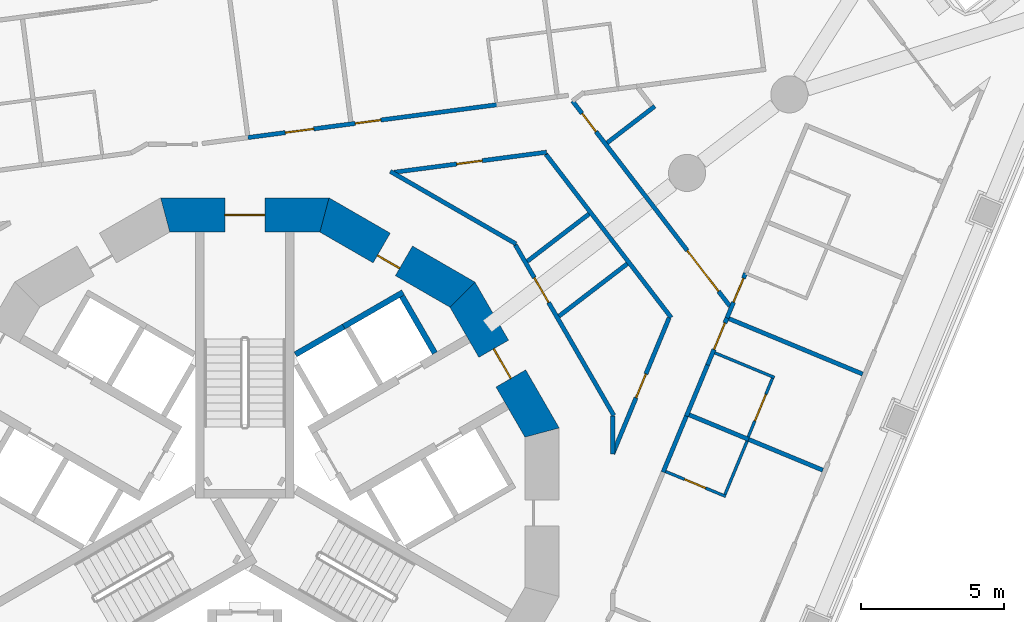
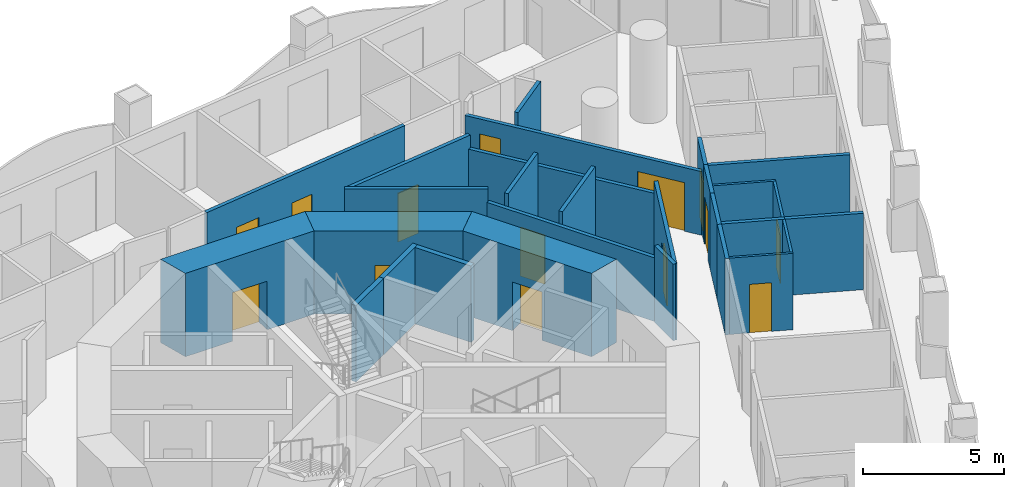
# One storey, part 9 of 19: 28 walls, 14 doors, 14 openings.
"""IFC4 building model written with IfcOpenShell, lengths in metres."""

from ifc_helpers import new_model, si_unit, direction, frame, frame_2d, origin, place, context, subcontext, project, spatial, polyline, rectangle, outline, extrude, material, layer, layer_set, type_object, element, fill, save


model = new_model("IFC4")

# Units and contexts
model_context = context("Model", 3, precision=1e-05, world=origin(), true_north=direction((0.0, 1.0)))
body_context = subcontext(model_context, "Body", "Model", "MODEL_VIEW")
ifc_project = project(units=[si_unit("LENGTHUNIT", "METRE"), si_unit("AREAUNIT", "SQUARE_METRE"), si_unit("VOLUMEUNIT", "CUBIC_METRE"), si_unit("PLANEANGLEUNIT", "RADIAN"), si_unit("MASSUNIT", "GRAM", prefix="KILO")], contexts=[model_context])

# Site, building, storey
site_placement = place(None, origin())
site = spatial("IfcSite", under=ifc_project, at=site_placement, CompositionType="ELEMENT")
building_placement = place(site_placement, origin())
building = spatial("IfcBuilding", under=site, at=building_placement, Name="Trine Commons Tower", CompositionType="ELEMENT")
storey_placement = place(building_placement, frame((0.0, 0.0, 61.199951171875)))
storey = spatial("IfcBuildingStorey", under=building, at=storey_placement, Name="L14", CompositionType="ELEMENT", Elevation=61.199951171875)

# Wall, opening, door
ifc_material_1 = material(Name="Concrete C80/95", Category="concrete")
ifc_layer_1 = layer(ifc_material_1, 1.199951171875)
ifc_layer_set_1 = layer_set([ifc_layer_1], Name="Concrete C80/95")
wall_type_1 = type_object("IfcWallType", Name="RC shear wall 1200 mm, C80/95", PredefinedType="SHEAR", material=ifc_layer_set_1)
wall_1_placement = place(storey_placement, frame((90.491943359375, 65.150390625, 0.0), z_axis=(0.0, 0.0, 1.0), x_axis=(-0.499979111662, 0.866037463336, 0.0)))
wall_1 = element("IfcWall", 1, at=wall_1_placement, inside=storey, type_object=wall_type_1, Name="Core wall CWB-02 L14", PredefinedType="SHEAR", context=body_context, shape_type="SweptSolid", body=[
    extrude(outline(polyline([(0.0, -0.60009765625), (5.901123046875, -0.60009765625), (5.57958984375, 0.60009765625), (0.321533203125, 0.60009765625), (0.0, -0.60009765625)])), origin(), (0.0, 0.0, 1.0), 3.60009765625),
])
opening_1_placement = place(wall_1_placement, frame((2.3505859375, 0.0, 0.0)))
opening_1 = element("IfcOpeningElement", 2, at=opening_1_placement, cuts=wall_1, Name="Opening K05.04", PredefinedType="OPENING", context=body_context, shape_type="SweptSolid", body=[
    extrude(rectangle(XDim=1.199951171875, YDim=2.10009765625, at=frame_2d((0.60009765625, 1.050048828125))), frame((0.0, 0.60986328125, 0.0), z_axis=(0.0, -1.0, 0.0), x_axis=(1.0, 0.0, 0.0)), (0.0, 0.0, 1.0), 1.219970703125),
])
ifc_material_2 = material(Name="Steel door leaves, fire-rated", Category="steel")
door_type_1 = type_object("IfcDoorType", Name="Lobby door, double leaf 1200 x 2100, FD60", OperationType="DOUBLE_DOOR_SINGLE_SWING", PredefinedType="DOOR", material=ifc_material_2)
door_1_placement = place(opening_1_placement, origin())
door_1 = element("IfcDoor", 3, at=door_1_placement, inside=storey, type_object=door_type_1, Name="Lobby door, Passenger lift lobby A L14", OperationType="DOUBLE_DOOR_SINGLE_SWING", OverallHeight=2.10009765625, OverallWidth=1.199951171875, PredefinedType="DOOR", context=body_context, shape_type="SweptSolid", body=[
    extrude(rectangle(XDim=1.199951171875, YDim=2.10009765625, at=frame_2d((0.60009765625, 1.050048828125))), frame((0.0, 0.02490234375, 0.0), z_axis=(0.0, -1.0, 0.0), x_axis=(1.0, 0.0, 0.0)), (0.0, 0.0, 1.0), 0.050048828125),
])
fill(opening_1, door_1)

wall_2_placement = place(storey_placement, frame((87.760986328125, 70.04150390625, 0.0), z_axis=(0.0, 0.0, 1.0), x_axis=(-0.866037463336, 0.499979111662, 0.0)))
wall_2 = element("IfcWall", 4, at=wall_2_placement, inside=storey, type_object=wall_type_1, Name="Core wall CWB-03 L14", PredefinedType="SHEAR", context=body_context, shape_type="SweptSolid", body=[
    extrude(outline(polyline([(0.0, -0.60009765625), (5.901123046875, -0.60009765625), (5.57958984375, 0.60009765625), (0.321533203125, 0.60009765625), (0.0, -0.60009765625)])), origin(), (0.0, 0.0, 1.0), 3.60009765625),
])
opening_2_placement = place(wall_2_placement, frame((2.526611328125, 0.0, 0.0)))
opening_2 = element("IfcOpeningElement", 5, at=opening_2_placement, cuts=wall_2, Name="Opening K05.11", PredefinedType="OPENING", context=body_context, shape_type="SweptSolid", body=[
    extrude(rectangle(XDim=0.89990234375, YDim=2.10009765625, at=frame_2d((0.449951171875, 1.050048828125))), frame((0.0, 0.60986328125, 0.0), z_axis=(0.0, -1.0, 0.0), x_axis=(1.0, 0.0, 0.0)), (0.0, 0.0, 1.0), 1.219970703125),
])
ifc_material_3 = material(Name="Steel door leaf, fire-rated", Category="steel")
door_type_2 = type_object("IfcDoorType", Name="Core room door, single leaf 900 x 2100, FD30S", OperationType="SINGLE_SWING_LEFT", PredefinedType="DOOR", material=ifc_material_3)
door_2_placement = place(opening_2_placement, origin())
door_2 = element("IfcDoor", 6, at=door_2_placement, inside=storey, type_object=door_type_2, Name="Door to Core WC L14", OperationType="SINGLE_SWING_RIGHT", OverallHeight=2.10009765625, OverallWidth=0.89990234375, PredefinedType="DOOR", context=body_context, shape_type="SweptSolid", body=[
    extrude(rectangle(XDim=0.89990234375, YDim=2.10009765625, at=frame_2d((0.449951171875, 1.050048828125))), frame((0.0, 0.3251953125, 0.0), z_axis=(0.0, -1.0, 0.0), x_axis=(1.0, 0.0, 0.0)), (0.0, 0.0, 1.0), 0.050048828125),
])
fill(opening_2, door_2)

wall_3_placement = place(storey_placement, frame((82.950439453125, 72.91162109375, 0.0), z_axis=(0.0, 0.0, 1.0), x_axis=(-1.0, 0.0, 0.0)))
wall_3 = element("IfcWall", 7, at=wall_3_placement, inside=storey, type_object=wall_type_1, Name="Core wall CWB-04 L14", PredefinedType="SHEAR", context=body_context, shape_type="SweptSolid", body=[
    extrude(outline(polyline([(0.0, -0.60009765625), (5.90087890625, -0.60009765625), (5.57958984375, 0.60009765625), (0.321533203125, 0.60009765625), (0.0, -0.60009765625)])), origin(), (0.0, 0.0, 1.0), 3.60009765625),
])
opening_3_placement = place(wall_3_placement, frame((2.25048828125, 0.0, 0.0)))
opening_3 = element("IfcOpeningElement", 8, at=opening_3_placement, cuts=wall_3, Name="Opening K05.01", PredefinedType="OPENING", context=body_context, shape_type="SweptSolid", body=[
    extrude(rectangle(XDim=1.39990234375, YDim=2.10009765625, at=frame_2d((0.699951171875, 1.050048828125))), frame((0.0, 0.60986328125, 0.0), z_axis=(0.0, -1.0, 0.0), x_axis=(1.0, 0.0, 0.0)), (0.0, 0.0, 1.0), 1.219970703125),
])
door_type_3 = type_object("IfcDoorType", Name="Stair door, double leaf 1400 x 2100, FD90", OperationType="DOUBLE_DOOR_SINGLE_SWING", PredefinedType="DOOR", material=ifc_material_2)
door_3_placement = place(opening_3_placement, origin())
door_3 = element("IfcDoor", 9, at=door_3_placement, inside=storey, type_object=door_type_3, Name="Stair door to Exit stair ST1A L14", OperationType="DOUBLE_DOOR_SINGLE_SWING", OverallHeight=2.10009765625, OverallWidth=1.39990234375, PredefinedType="DOOR", context=body_context, shape_type="SweptSolid", body=[
    extrude(rectangle(XDim=1.39990234375, YDim=2.10009765625, at=frame_2d((0.699951171875, 1.050048828125))), frame((0.0, 0.02490234375, 0.0), z_axis=(0.0, -1.0, 0.0), x_axis=(1.0, 0.0, 0.0)), (0.0, 0.0, 1.0), 0.050048828125),
])
fill(opening_3, door_3)

# Walls
ifc_material_4 = material(Name="Fire-rated gypsum shaft wall system")
ifc_layer_2 = layer(ifc_material_4, 0.199951171875)
ifc_layer_set_2 = layer_set([ifc_layer_2], Name="Fire-rated gypsum shaft wall system")
wall_type_2 = type_object("IfcWallType", Name="Shaft wall 200 mm, EI 120", PredefinedType="PARTITIONING", material=ifc_layer_set_2)
wall_4_placement = place(storey_placement, frame((81.77490234375, 68.028076171875, 0.0), z_axis=(0.0, 0.0, 1.0), x_axis=(0.866052014814, 0.499953905513, 0.0)))
element("IfcWall", 10, at=wall_4_placement, inside=storey, type_object=wall_type_2, Name="Shaft wall L14", PredefinedType="PARTITIONING", context=body_context, shape_type="SweptSolid", body=[
    extrude(rectangle(XDim=1.947998046875, YDim=0.199951171875, at=frame_2d((0.97412109375, 0.0))), origin(), (0.0, 0.0, 1.0), 3.300048828125),
])
wall_5_placement = place(storey_placement, frame((83.4619140625, 69.001953125, 0.0), z_axis=(0.0, 0.0, 1.0), x_axis=(0.866202511239, 0.499693115345, 0.0)))
element("IfcWall", 11, at=wall_5_placement, inside=storey, type_object=wall_type_2, Name="Shaft wall L14", PredefinedType="PARTITIONING", context=body_context, shape_type="SweptSolid", body=[
    extrude(rectangle(XDim=2.4013671875, YDim=0.199951171875, at=frame_2d((1.20068359375, 0.0))), origin(), (0.0, 0.0, 1.0), 3.300048828125),
])
wall_6_placement = place(storey_placement, frame((86.655029296875, 68.073974609375, 0.0), z_axis=(0.0, 0.0, 1.0), x_axis=(-0.500215680983, 0.865900844496, 0.0)))
element("IfcWall", 12, at=wall_6_placement, inside=storey, type_object=wall_type_2, Name="Shaft wall L14", PredefinedType="PARTITIONING", context=body_context, shape_type="SweptSolid", body=[
    extrude(rectangle(XDim=2.29931640625, YDim=0.199951171875, at=frame_2d((1.149658203125, 0.0))), origin(), (0.0, 0.0, 1.0), 3.300048828125),
])

# Wall, openings, doors
ifc_material_5 = material(Name="Gypsum plasterboard on steel stud", Category="steel")
ifc_layer_3 = layer(ifc_material_5, 0.14990234375)
ifc_layer_set_3 = layer_set([ifc_layer_3], Name="Gypsum plasterboard on steel stud")
wall_type_3 = type_object("IfcWallType", Name="Unit and corridor wall 150 mm, EI 60", PredefinedType="PARTITIONING", material=ifc_layer_set_3)
wall_7_placement = place(storey_placement, frame((80.10595703125, 75.623046875, 0.0), z_axis=(0.0, 0.0, 1.0), x_axis=(0.991433413037, 0.130613121525, 0.0)))
wall_7 = element("IfcWall", 13, at=wall_7_placement, inside=storey, type_object=wall_type_3, Name="Partition 081", PredefinedType="PARTITIONING", context=body_context, shape_type="SweptSolid", body=[
    extrude(rectangle(XDim=8.83935546875, YDim=0.14990234375, at=frame_2d((4.419677734375, 0.0))), origin(), (0.0, 0.0, 1.0), 3.300048828125),
])
opening_4_placement = place(wall_7_placement, frame((1.32568359375, 0.0, 0.0)))
opening_4 = element("IfcOpeningElement", 14, at=opening_4_placement, cuts=wall_7, Name="Opening D-2B11", PredefinedType="OPENING", context=body_context, shape_type="SweptSolid", body=[
    extrude(rectangle(XDim=1.0, YDim=2.10009765625, at=frame_2d((0.5, 1.050048828125))), frame((0.0, 0.0849609375, 0.0), z_axis=(0.0, -1.0, 0.0), x_axis=(1.0, 0.0, 0.0)), (0.0, 0.0, 1.0), 0.169921875),
])
opening_5_placement = place(wall_7_placement, frame((3.79736328125, 0.0, 0.0)))
opening_5 = element("IfcOpeningElement", 15, at=opening_5_placement, cuts=wall_7, Name="Opening D-2B12", PredefinedType="OPENING", context=body_context, shape_type="SweptSolid", body=[
    extrude(rectangle(XDim=0.89990234375, YDim=2.10009765625, at=frame_2d((0.449951171875, 1.050048828125))), frame((0.0, 0.0849609375, 0.0), z_axis=(0.0, -1.0, 0.0), x_axis=(1.0, 0.0, 0.0)), (0.0, 0.0, 1.0), 0.169921875),
])
ifc_material_6 = material(Name="Painted timber", Category="wood")
door_type_4 = type_object("IfcDoorType", Name="Amenity room door 1000 x 2100, NOT RATED", OperationType="NOTDEFINED", PredefinedType="DOOR", material=ifc_material_6)
door_4_placement = place(opening_4_placement, origin())
door_4 = element("IfcDoor", 16, at=door_4_placement, inside=storey, type_object=door_type_4, Name="Door D-2B11", OperationType="SINGLE_SWING_LEFT", OverallHeight=2.10009765625, OverallWidth=1.0, PredefinedType="DOOR", context=body_context, shape_type="SweptSolid", body=[
    extrude(rectangle(XDim=1.0, YDim=2.10009765625, at=frame_2d((0.5, 1.050048828125))), frame((0.0, 0.02490234375, 0.0), z_axis=(0.0, -1.0, 0.0), x_axis=(1.0, 0.0, 0.0)), (0.0, 0.0, 1.0), 0.050048828125),
])
fill(opening_4, door_4)
ifc_material_7 = material(Name="Timber fire door set", Category="wood")
door_type_5 = type_object("IfcDoorType", Name="Bedroom door 900 x 2100, FD30S", OperationType="NOTDEFINED", PredefinedType="DOOR", material=ifc_material_7)
door_5_placement = place(opening_5_placement, origin())
door_5 = element("IfcDoor", 17, at=door_5_placement, inside=storey, type_object=door_type_5, Name="Door D-2B12", OperationType="SINGLE_SWING_LEFT", OverallHeight=2.10009765625, OverallWidth=0.89990234375, PredefinedType="DOOR", context=body_context, shape_type="SweptSolid", body=[
    extrude(rectangle(XDim=0.89990234375, YDim=2.10009765625, at=frame_2d((0.449951171875, 1.050048828125))), frame((0.0, 0.02490234375, 0.0), z_axis=(0.0, -1.0, 0.0), x_axis=(1.0, 0.0, 0.0)), (0.0, 0.0, 1.0), 0.050048828125),
])
fill(opening_5, door_5)

# Wall
wall_8_placement = place(storey_placement, frame((85.095947265625, 74.4384765625, 0.0), z_axis=(0.0, 0.0, 1.0), x_axis=(0.866036051865, -0.49998155653, 0.0)))
element("IfcWall", 18, at=wall_8_placement, inside=storey, type_object=wall_type_3, Name="Partition 091", PredefinedType="PARTITIONING", context=body_context, shape_type="SweptSolid", body=[
    extrude(rectangle(XDim=5.084228515625, YDim=0.14990234375, at=frame_2d((2.5419921875, 0.0))), origin(), (0.0, 0.0, 1.0), 3.300048828125),
])

# Wall, opening, door
wall_9_placement = place(storey_placement, frame((85.23828125, 74.40869140625, 0.0), z_axis=(0.0, 0.0, 1.0), x_axis=(0.991440693098, 0.130557849512, 0.0)))
wall_9 = element("IfcWall", 19, at=wall_9_placement, inside=storey, type_object=wall_type_3, Name="Partition 093", PredefinedType="PARTITIONING", context=body_context, shape_type="SweptSolid", body=[
    extrude(rectangle(XDim=5.378173828125, YDim=0.14990234375, at=frame_2d((2.68896484375, 0.0))), origin(), (0.0, 0.0, 1.0), 3.300048828125),
])
opening_6_placement = place(wall_9_placement, frame((2.201416015625, 0.0, 0.0)))
opening_6 = element("IfcOpeningElement", 20, at=opening_6_placement, cuts=wall_9, Name="Opening D-2B33", PredefinedType="OPENING", context=body_context, shape_type="SweptSolid", body=[
    extrude(rectangle(XDim=0.89990234375, YDim=2.10009765625, at=frame_2d((0.449951171875, 1.050048828125))), frame((0.0, 0.0849609375, 0.0), z_axis=(0.0, -1.0, 0.0), x_axis=(1.0, 0.0, 0.0)), (0.0, 0.0, 1.0), 0.169921875),
])
door_type_6 = type_object("IfcDoorType", Name="Service door 900 x 2100, FD30S", OperationType="NOTDEFINED", PredefinedType="DOOR", material=ifc_material_7)
door_6_placement = place(opening_6_placement, frame((0.89990234375, 0.0, 0.0), z_axis=(0.0, 0.0, 1.0), x_axis=(-1.0, 0.0, 0.0)))
door_6 = element("IfcDoor", 21, at=door_6_placement, inside=storey, type_object=door_type_6, Name="Door D-2B33", OperationType="SINGLE_SWING_RIGHT", OverallHeight=2.10009765625, OverallWidth=0.89990234375, PredefinedType="DOOR", context=body_context, shape_type="SweptSolid", body=[
    extrude(rectangle(XDim=0.89990234375, YDim=2.10009765625, at=frame_2d((0.449951171875, 1.050048828125))), frame((0.0, 0.02490234375, 0.0), z_axis=(0.0, -1.0, 0.0), x_axis=(1.0, 0.0, 0.0)), (0.0, 0.0, 1.0), 0.050048828125),
])
fill(opening_6, door_6)

wall_10_placement = place(storey_placement, frame((89.471435546875, 71.868896484375, 0.0), z_axis=(0.0, 0.0, 1.0), x_axis=(0.50000193825, -0.866024284732, 0.0)))
wall_10 = element("IfcWall", 22, at=wall_10_placement, inside=storey, type_object=wall_type_3, Name="Partition 110", PredefinedType="PARTITIONING", context=body_context, shape_type="SweptSolid", body=[
    extrude(rectangle(XDim=6.90625, YDim=0.14990234375, at=frame_2d((3.453125, 0.0))), origin(), (0.0, 0.0, 1.0), 2.75),
])
opening_7_placement = place(wall_10_placement, frame((1.3330078125, 0.0, 0.0)))
opening_7 = element("IfcOpeningElement", 23, at=opening_7_placement, cuts=wall_10, Name="Opening D-2B37", PredefinedType="OPENING", context=body_context, shape_type="SweptSolid", body=[
    extrude(rectangle(XDim=1.0, YDim=2.10009765625, at=frame_2d((0.5, 1.050048828125))), frame((0.0, 0.0849609375, 0.0), z_axis=(0.0, -1.0, 0.0), x_axis=(1.0, 0.0, 0.0)), (0.0, 0.0, 1.0), 0.169921875),
])
door_type_7 = type_object("IfcDoorType", Name="Toilet door 1000 x 2100, NOT RATED", OperationType="NOTDEFINED", PredefinedType="DOOR", material=ifc_material_6)
door_7_placement = place(opening_7_placement, origin())
door_7 = element("IfcDoor", 24, at=door_7_placement, inside=storey, type_object=door_type_7, Name="Door D-2B37", OperationType="SINGLE_SWING_LEFT", OverallHeight=2.10009765625, OverallWidth=1.0, PredefinedType="DOOR", context=body_context, shape_type="SweptSolid", body=[
    extrude(rectangle(XDim=1.0, YDim=2.10009765625, at=frame_2d((0.5, 1.050048828125))), frame((0.0, 0.02490234375, 0.0), z_axis=(0.0, -1.0, 0.0), x_axis=(1.0, 0.0, 0.0)), (0.0, 0.0, 1.0), 0.050048828125),
])
fill(opening_7, door_7)

# Walls
wall_11_placement = place(storey_placement, frame((89.892578125, 71.28759765625, 0.0), z_axis=(0.0, 0.0, 1.0), x_axis=(0.793249929781, 0.608896172515, 0.0)))
element("IfcWall", 25, at=wall_11_placement, inside=storey, type_object=wall_type_3, Name="Partition 111", PredefinedType="PARTITIONING", context=body_context, shape_type="SweptSolid", body=[
    extrude(rectangle(XDim=2.72412109375, YDim=0.14990234375, at=frame_2d((1.362060546875, 0.0))), origin(), (0.0, 0.0, 1.0), 3.300048828125),
])
wall_12_placement = place(storey_placement, frame((90.541748046875, 75.04150390625, 0.0), z_axis=(0.0, 0.0, 1.0), x_axis=(0.608724186816, -0.793381915842, 0.0)))
element("IfcWall", 26, at=wall_12_placement, inside=storey, type_object=wall_type_3, Name="Partition 115", PredefinedType="PARTITIONING", context=body_context, shape_type="SweptSolid", body=[
    extrude(rectangle(XDim=7.21484375, YDim=0.14990234375, at=frame_2d((3.607421875, 0.0))), origin(), (0.0, 0.0, 1.0), 2.75),
])
wall_13_placement = place(storey_placement, frame((91.00146484375, 69.36669921875, 0.0), z_axis=(0.0, 0.0, 1.0), x_axis=(0.79348121318, 0.608594745565, 0.0)))
element("IfcWall", 27, at=wall_13_placement, inside=storey, type_object=wall_type_3, Name="Partition 119", PredefinedType="PARTITIONING", context=body_context, shape_type="SweptSolid", body=[
    extrude(rectangle(XDim=3.0146484375, YDim=0.14990234375, at=frame_2d((1.50732421875, 0.0))), origin(), (0.0, 0.0, 1.0), 3.300048828125),
])

# Wall, openings, doors
wall_14_placement = place(storey_placement, frame((91.47412109375, 76.906005859375, 0.0), z_axis=(0.0, 0.0, 1.0), x_axis=(0.608691769464, -0.793406787081, 0.0)))
wall_14 = element("IfcWall", 28, at=wall_14_placement, inside=storey, type_object=wall_type_3, Name="Partition 123", PredefinedType="PARTITIONING", context=body_context, shape_type="SweptSolid", body=[
    extrude(rectangle(XDim=9.05908203125, YDim=0.14990234375, at=frame_2d((4.529541015625, 0.0))), origin(), (0.0, 0.0, 1.0), 2.75),
])
opening_8_placement = place(wall_14_placement, frame((6.606201171875, 0.0, 0.0)))
opening_8 = element("IfcOpeningElement", 29, at=opening_8_placement, cuts=wall_14, Name="Opening D-2B01", PredefinedType="OPENING", context=body_context, shape_type="SweptSolid", body=[
    extrude(rectangle(XDim=1.800048828125, YDim=2.10009765625, at=frame_2d((0.89990234375, 1.050048828125))), frame((0.0, 0.0849609375, 0.0), z_axis=(0.0, -1.0, 0.0), x_axis=(1.0, 0.0, 0.0)), (0.0, 0.0, 1.0), 0.169921875),
])
opening_9_placement = place(wall_14_placement, frame((0.553955078125, 0.0, 0.0)))
opening_9 = element("IfcOpeningElement", 30, at=opening_9_placement, cuts=wall_14, Name="Opening D-2B04", PredefinedType="OPENING", context=body_context, shape_type="SweptSolid", body=[
    extrude(rectangle(XDim=0.800048828125, YDim=2.10009765625, at=frame_2d((0.39990234375, 1.050048828125))), frame((0.0, 0.0849609375, 0.0), z_axis=(0.0, -1.0, 0.0), x_axis=(1.0, 0.0, 0.0)), (0.0, 0.0, 1.0), 0.169921875),
])
door_type_8 = type_object("IfcDoorType", Name="Cluster entrance door 1800 x 2100, double leaf, FD30S", OperationType="DOUBLE_DOOR_DOUBLE_SWING", PredefinedType="DOOR", material=ifc_material_7)
door_8_placement = place(opening_8_placement, origin())
door_8 = element("IfcDoor", 31, at=door_8_placement, inside=storey, type_object=door_type_8, Name="Door D-2B01", OperationType="DOUBLE_DOOR_DOUBLE_SWING", OverallHeight=2.10009765625, OverallWidth=1.800048828125, PredefinedType="DOOR", context=body_context, shape_type="SweptSolid", body=[
    extrude(rectangle(XDim=1.800048828125, YDim=2.10009765625, at=frame_2d((0.89990234375, 1.050048828125))), frame((0.0, 0.02490234375, 0.0), z_axis=(0.0, -1.0, 0.0), x_axis=(1.0, 0.0, 0.0)), (0.0, 0.0, 1.0), 0.050048828125),
])
fill(opening_8, door_8)
door_type_9 = type_object("IfcDoorType", Name="Toilet door 800 x 2100, NOT RATED", OperationType="NOTDEFINED", PredefinedType="DOOR", material=ifc_material_6)
door_9_placement = place(opening_9_placement, origin())
door_9 = element("IfcDoor", 32, at=door_9_placement, inside=storey, type_object=door_type_9, Name="Door D-2B04", OperationType="SINGLE_SWING_LEFT", OverallHeight=2.10009765625, OverallWidth=0.800048828125, PredefinedType="DOOR", context=body_context, shape_type="SweptSolid", body=[
    extrude(rectangle(XDim=0.800048828125, YDim=2.10009765625, at=frame_2d((0.39990234375, 1.050048828125))), frame((0.0, 0.02490234375, 0.0), z_axis=(0.0, -1.0, 0.0), x_axis=(1.0, 0.0, 0.0)), (0.0, 0.0, 1.0), 0.050048828125),
])
fill(opening_9, door_9)

# Walls
wall_15_placement = place(storey_placement, frame((92.6923828125, 75.440673828125, 0.0), z_axis=(0.0, 0.0, 1.0), x_axis=(0.793198338244, 0.608963378379, 0.0)))
element("IfcWall", 33, at=wall_15_placement, inside=storey, type_object=wall_type_3, Name="Partition 127", PredefinedType="PARTITIONING", context=body_context, shape_type="SweptSolid", body=[
    extrude(rectangle(XDim=2.100341796875, YDim=0.14990234375, at=frame_2d((1.05029296875, 0.0))), origin(), (0.0, 0.0, 1.0), 3.300048828125),
])
wall_16_placement = place(storey_placement, frame((92.886962890625, 64.5419921875, 0.0), z_axis=(0.0, 0.0, 1.0), x_axis=(0.0, 1.0, 0.0)))
element("IfcWall", 34, at=wall_16_placement, inside=storey, type_object=wall_type_3, Name="Partition 132", PredefinedType="PARTITIONING", context=body_context, shape_type="SweptSolid", body=[
    extrude(rectangle(XDim=1.3359375, YDim=0.14990234375, at=frame_2d((0.66796875, 0.0))), origin(), (0.0, 0.0, 1.0), 3.300048828125),
])

# Wall, opening, door
wall_17_placement = place(storey_placement, frame((92.886962890625, 64.5458984375, 0.0), z_axis=(0.0, 0.0, 1.0), x_axis=(0.382690656651, 0.923876540081, 0.0)))
wall_17 = element("IfcWall", 35, at=wall_17_placement, inside=storey, type_object=wall_type_3, Name="Partition 133", PredefinedType="PARTITIONING", context=body_context, shape_type="SweptSolid", body=[
    extrude(rectangle(XDim=5.154052734375, YDim=0.14990234375, at=frame_2d((2.5771484375, 0.0))), origin(), (0.0, 0.0, 1.0), 3.300048828125),
])
opening_10_placement = place(wall_17_placement, frame((2.126953125, 0.0, 0.0)))
opening_10 = element("IfcOpeningElement", 36, at=opening_10_placement, cuts=wall_17, Name="Opening D-2B34", PredefinedType="OPENING", context=body_context, shape_type="SweptSolid", body=[
    extrude(rectangle(XDim=0.89990234375, YDim=2.10009765625, at=frame_2d((0.449951171875, 1.050048828125))), frame((0.0, 0.0849609375, 0.0), z_axis=(0.0, -1.0, 0.0), x_axis=(1.0, 0.0, 0.0)), (0.0, 0.0, 1.0), 0.169921875),
])
door_10_placement = place(opening_10_placement, origin())
door_10 = element("IfcDoor", 37, at=door_10_placement, inside=storey, type_object=door_type_6, Name="Door D-2B34", OperationType="SINGLE_SWING_RIGHT", OverallHeight=2.10009765625, OverallWidth=0.89990234375, PredefinedType="DOOR", context=body_context, shape_type="SweptSolid", body=[
    extrude(rectangle(XDim=0.89990234375, YDim=2.10009765625, at=frame_2d((0.449951171875, 1.050048828125))), frame((0.0, 0.02490234375, 0.0), z_axis=(0.0, -1.0, 0.0), x_axis=(1.0, 0.0, 0.0)), (0.0, 0.0, 1.0), 0.050048828125),
])
fill(opening_10, door_10)

# Walls
wall_18_placement = place(storey_placement, frame((94.65087890625, 63.90478515625, 0.0), z_axis=(0.0, 0.0, 1.0), x_axis=(0.382722804604, 0.923863223013, 0.0)))
element("IfcWall", 38, at=wall_18_placement, inside=storey, type_object=wall_type_3, Name="Partition 138", PredefinedType="PARTITIONING", context=body_context, shape_type="SweptSolid", body=[
    extrude(rectangle(XDim=2.20849609375, YDim=0.14990234375, at=frame_2d((1.104248046875, 0.0))), origin(), (0.0, 0.0, 1.0), 3.300048828125),
])
wall_19_placement = place(storey_placement, frame((95.46435546875, 65.86767578125, 0.0), z_axis=(0.0, 0.0, 1.0), x_axis=(0.38256681744, 0.923927827373, 0.0)))
element("IfcWall", 39, at=wall_19_placement, inside=storey, type_object=wall_type_3, Name="Partition 140", PredefinedType="PARTITIONING", context=body_context, shape_type="SweptSolid", body=[
    extrude(rectangle(XDim=1.938720703125, YDim=0.14990234375, at=frame_2d((0.96923828125, 0.0))), origin(), (0.0, 0.0, 1.0), 3.300048828125),
])
wall_20_placement = place(storey_placement, frame((95.563232421875, 65.912353515625, 0.0), z_axis=(0.0, 0.0, 1.0), x_axis=(0.923983860805, -0.382431464412, 0.0)))
element("IfcWall", 40, at=wall_20_placement, inside=storey, type_object=wall_type_3, Name="Partition 141", PredefinedType="PARTITIONING", context=body_context, shape_type="SweptSolid", body=[
    extrude(rectangle(XDim=2.25537109375, YDim=0.14990234375, at=frame_2d((1.127685546875, 0.0))), origin(), (0.0, 0.0, 1.0), 3.300048828125),
])

# Wall, opening, door
wall_21_placement = place(storey_placement, frame((96.2060546875, 67.658935546875, 0.0), z_axis=(0.0, 0.0, 1.0), x_axis=(0.382317087309, 0.924031192521, 0.0)))
wall_21 = element("IfcWall", 41, at=wall_21_placement, inside=storey, type_object=wall_type_3, Name="Partition 142", PredefinedType="PARTITIONING", context=body_context, shape_type="SweptSolid", body=[
    extrude(rectangle(XDim=1.864013671875, YDim=0.14990234375, at=frame_2d((0.93212890625, 0.0))), origin(), (0.0, 0.0, 1.0), 3.300048828125),
])
opening_11_placement = place(wall_21_placement, frame((0.590087890625, 0.0, 0.0)))
opening_11 = element("IfcOpeningElement", 42, at=opening_11_placement, cuts=wall_21, Name="Opening D-2B16", PredefinedType="OPENING", context=body_context, shape_type="SweptSolid", body=[
    extrude(rectangle(XDim=1.0, YDim=2.10009765625, at=frame_2d((0.5, 1.050048828125))), frame((0.0, 0.0849609375, 0.0), z_axis=(0.0, -1.0, 0.0), x_axis=(1.0, 0.0, 0.0)), (0.0, 0.0, 1.0), 0.169921875),
])
door_type_10 = type_object("IfcDoorType", Name="Bedroom door 1000 x 2100, FD30S", OperationType="NOTDEFINED", PredefinedType="DOOR", material=ifc_material_7)
door_11_placement = place(opening_11_placement, frame((1.0, 0.0, 0.0), z_axis=(0.0, 0.0, 1.0), x_axis=(-1.0, 0.0, 0.0)))
door_11 = element("IfcDoor", 43, at=door_11_placement, inside=storey, type_object=door_type_10, Name="Door D-2B16", OperationType="SINGLE_SWING_LEFT", OverallHeight=2.10009765625, OverallWidth=1.0, PredefinedType="DOOR", context=body_context, shape_type="SweptSolid", body=[
    extrude(rectangle(XDim=1.0, YDim=2.10009765625, at=frame_2d((0.5, 1.050048828125))), frame((0.0, 0.02490234375, 0.0), z_axis=(0.0, -1.0, 0.0), x_axis=(1.0, 0.0, 0.0)), (0.0, 0.0, 1.0), 0.050048828125),
])
fill(opening_11, door_11)

wall_22_placement = place(storey_placement, frame((96.886962890625, 69.303955078125, 0.0), z_axis=(0.0, 0.0, 1.0), x_axis=(0.382668597728, 0.92388567708, 0.0)))
wall_22 = element("IfcWall", 44, at=wall_22_placement, inside=storey, type_object=wall_type_3, Name="Partition 145", PredefinedType="PARTITIONING", context=body_context, shape_type="SweptSolid", body=[
    extrude(rectangle(XDim=1.701416015625, YDim=0.14990234375, at=frame_2d((0.8505859375, 0.0))), origin(), (0.0, 0.0, 1.0), 3.300048828125),
])
opening_12_placement = place(wall_22_placement, frame((0.602294921875, 0.0, 0.0)))
opening_12 = element("IfcOpeningElement", 45, at=opening_12_placement, cuts=wall_22, Name="Opening D-2B15", PredefinedType="OPENING", context=body_context, shape_type="SweptSolid", body=[
    extrude(rectangle(XDim=0.89990234375, YDim=2.10009765625, at=frame_2d((0.449951171875, 1.050048828125))), frame((0.0, 0.0849609375, 0.0), z_axis=(0.0, -1.0, 0.0), x_axis=(1.0, 0.0, 0.0)), (0.0, 0.0, 1.0), 0.169921875),
])
door_12_placement = place(opening_12_placement, frame((0.89990234375, 0.0, 0.0), z_axis=(0.0, 0.0, 1.0), x_axis=(-1.0, 0.0, 0.0)))
door_12 = element("IfcDoor", 46, at=door_12_placement, inside=storey, type_object=door_type_5, Name="Door D-2B15", OperationType="SINGLE_SWING_LEFT", OverallHeight=2.10009765625, OverallWidth=0.89990234375, PredefinedType="DOOR", context=body_context, shape_type="SweptSolid", body=[
    extrude(rectangle(XDim=0.89990234375, YDim=2.10009765625, at=frame_2d((0.449951171875, 1.050048828125))), frame((0.0, 0.02490234375, 0.0), z_axis=(0.0, -1.0, 0.0), x_axis=(1.0, 0.0, 0.0)), (0.0, 0.0, 1.0), 0.050048828125),
])
fill(opening_12, door_12)

# Walls
wall_23_placement = place(storey_placement, frame((96.957275390625, 69.279296875, 0.0), z_axis=(0.0, 0.0, 1.0), x_axis=(0.923879340067, -0.382683896966, 0.0)))
element("IfcWall", 47, at=wall_23_placement, inside=storey, type_object=wall_type_3, Name="Partition 146", PredefinedType="PARTITIONING", context=body_context, shape_type="SweptSolid", body=[
    extrude(rectangle(XDim=5.064208984375, YDim=0.14990234375, at=frame_2d((2.5322265625, 0.0))), origin(), (0.0, 0.0, 1.0), 3.300048828125),
])
wall_24_placement = place(storey_placement, frame((97.56982421875, 65.08203125, 0.0), z_axis=(0.0, 0.0, 1.0), x_axis=(0.923777070039, -0.38293070505, 0.0)))
element("IfcWall", 48, at=wall_24_placement, inside=storey, type_object=wall_type_3, Name="Partition 151", PredefinedType="PARTITIONING", context=body_context, shape_type="SweptSolid", body=[
    extrude(rectangle(XDim=2.892578125, YDim=0.14990234375, at=frame_2d((1.4462890625, 0.0))), origin(), (0.0, 0.0, 1.0), 3.300048828125),
])

# Wall, opening, door
ifc_layer_4 = layer(ifc_material_5, 0.10009765625)
ifc_layer_set_4 = layer_set([ifc_layer_4], Name="Gypsum plasterboard on steel stud")
wall_type_4 = type_object("IfcWallType", Name="Unit partition 100 mm, no rating", PredefinedType="PARTITIONING", material=ifc_layer_set_4)
wall_25_placement = place(storey_placement, frame((94.740234375, 63.92626953125, 0.0), z_axis=(0.0, 0.0, 1.0), x_axis=(0.923931833824, -0.382557141415, 0.0)))
wall_25 = element("IfcWall", 49, at=wall_25_placement, inside=storey, type_object=wall_type_4, Name="Partition 139", PredefinedType="PARTITIONING", context=body_context, shape_type="SweptSolid", body=[
    extrude(rectangle(XDim=2.275146484375, YDim=0.10009765625, at=frame_2d((1.1376953125, 0.0))), origin(), (0.0, 0.0, 1.0), 3.300048828125),
])
opening_13_placement = place(wall_25_placement, frame((0.71240234375, 0.0, 0.0)))
opening_13 = element("IfcOpeningElement", 50, at=opening_13_placement, cuts=wall_25, Name="Opening D-2B47", PredefinedType="OPENING", context=body_context, shape_type="SweptSolid", body=[
    extrude(rectangle(XDim=0.800048828125, YDim=2.10009765625, at=frame_2d((0.39990234375, 1.050048828125))), frame((0.0, 0.06005859375, 0.0), z_axis=(0.0, -1.0, 0.0), x_axis=(1.0, 0.0, 0.0)), (0.0, 0.0, 1.0), 0.1201171875),
])
door_type_11 = type_object("IfcDoorType", Name="Internal door 800 x 2100, NOT RATED", OperationType="NOTDEFINED", PredefinedType="DOOR", material=ifc_material_6)
door_13_placement = place(opening_13_placement, frame((0.800048828125, 0.0, 0.0), z_axis=(0.0, 0.0, 1.0), x_axis=(-1.0, 0.0, 0.0)))
door_13 = element("IfcDoor", 51, at=door_13_placement, inside=storey, type_object=door_type_11, Name="Door D-2B47", OperationType="SINGLE_SWING_RIGHT", OverallHeight=2.10009765625, OverallWidth=0.800048828125, PredefinedType="DOOR", context=body_context, shape_type="SweptSolid", body=[
    extrude(rectangle(XDim=0.800048828125, YDim=2.10009765625, at=frame_2d((0.39990234375, 1.050048828125))), frame((0.0, 0.02490234375, 0.0), z_axis=(0.0, -1.0, 0.0), x_axis=(1.0, 0.0, 0.0)), (0.0, 0.0, 1.0), 0.050048828125),
])
fill(opening_13, door_13)

# Walls
wall_26_placement = place(storey_placement, frame((96.46240234375, 68.083251953125, 0.0), z_axis=(0.0, 0.0, 1.0), x_axis=(0.92400628076, -0.382377291581, 0.0)))
element("IfcWall", 52, at=wall_26_placement, inside=storey, type_object=wall_type_4, Name="Partition 143", PredefinedType="PARTITIONING", context=body_context, shape_type="SweptSolid", body=[
    extrude(rectangle(XDim=2.255126953125, YDim=0.10009765625, at=frame_2d((1.12744140625, 0.0))), origin(), (0.0, 0.0, 1.0), 3.300048828125),
])
wall_27_placement = place(storey_placement, frame((96.815185546875, 63.12109375, 0.0), z_axis=(0.0, 0.0, 1.0), x_axis=(0.382816773578, 0.923824289498, 0.0)))
element("IfcWall", 53, at=wall_27_placement, inside=storey, type_object=wall_type_4, Name="Partition 144", PredefinedType="PARTITIONING", context=body_context, shape_type="SweptSolid", body=[
    extrude(rectangle(XDim=2.02490234375, YDim=0.10009765625, at=frame_2d((1.012451171875, 0.0))), origin(), (0.0, 0.0, 1.0), 3.300048828125),
])

# Wall, opening, door
wall_28_placement = place(storey_placement, frame((97.629638671875, 65.13818359375, 0.0), z_axis=(0.0, 0.0, 1.0), x_axis=(0.382619912847, 0.923905840599, 0.0)))
wall_28 = element("IfcWall", 54, at=wall_28_placement, inside=storey, type_object=wall_type_4, Name="Partition 150", PredefinedType="PARTITIONING", context=body_context, shape_type="SweptSolid", body=[
    extrude(rectangle(XDim=2.224853515625, YDim=0.10009765625, at=frame_2d((1.1123046875, 0.0))), origin(), (0.0, 0.0, 1.0), 3.300048828125),
])
opening_14_placement = place(wall_28_placement, frame((0.6123046875, 0.0, 0.0)))
opening_14 = element("IfcOpeningElement", 55, at=opening_14_placement, cuts=wall_28, Name="Opening D-2B46", PredefinedType="OPENING", context=body_context, shape_type="SweptSolid", body=[
    extrude(rectangle(XDim=1.0, YDim=2.10009765625, at=frame_2d((0.5, 1.050048828125))), frame((0.0, 0.06005859375, 0.0), z_axis=(0.0, -1.0, 0.0), x_axis=(1.0, 0.0, 0.0)), (0.0, 0.0, 1.0), 0.1201171875),
])
door_type_12 = type_object("IfcDoorType", Name="Internal door 1000 x 2100, NOT RATED", OperationType="NOTDEFINED", PredefinedType="DOOR", material=ifc_material_6)
door_14_placement = place(opening_14_placement, frame((1.0, 0.0, 0.0), z_axis=(0.0, 0.0, 1.0), x_axis=(-1.0, 0.0, 0.0)))
door_14 = element("IfcDoor", 56, at=door_14_placement, inside=storey, type_object=door_type_12, Name="Door D-2B46", OperationType="SINGLE_SWING_RIGHT", OverallHeight=2.10009765625, OverallWidth=1.0, PredefinedType="DOOR", context=body_context, shape_type="SweptSolid", body=[
    extrude(rectangle(XDim=1.0, YDim=2.10009765625, at=frame_2d((0.5, 1.050048828125))), frame((0.0, 0.02490234375, 0.0), z_axis=(0.0, -1.0, 0.0), x_axis=(1.0, 0.0, 0.0)), (0.0, 0.0, 1.0), 0.050048828125),
])
fill(opening_14, door_14)

save(model, "model.ifc")
